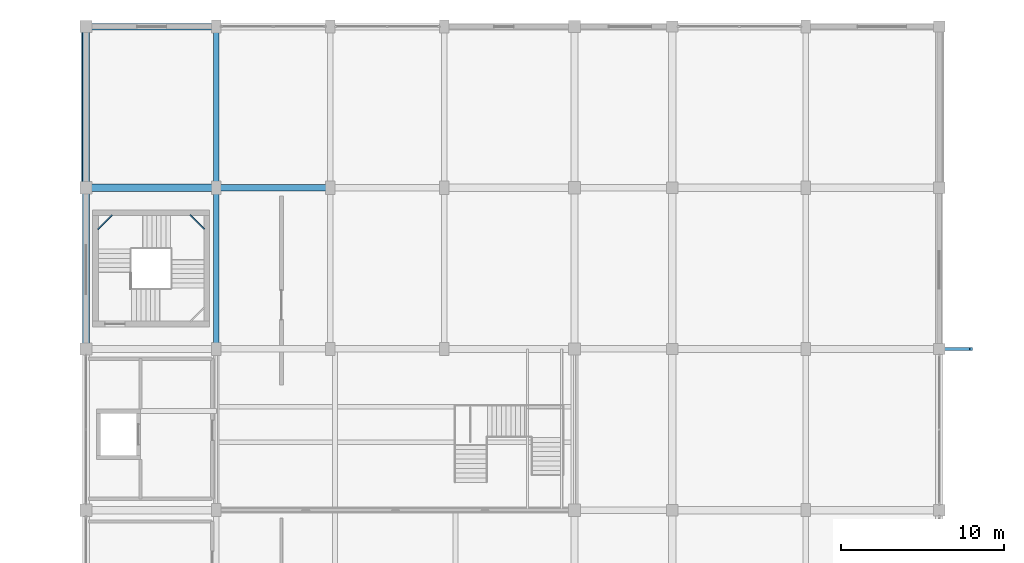
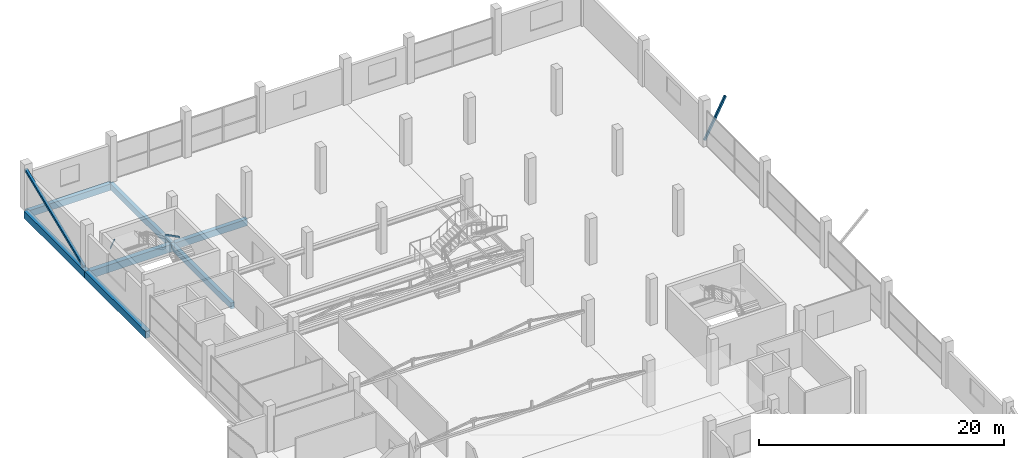
# One storey, part 25 of 49: 9 beams, 2 members.
"""IFC4 building model written with IfcOpenShell, lengths in metres."""

import ifcopenshell
import ifcopenshell.guid

model = None  # the IFC model being written
_history = None  # IfcOwnerHistory: only IFC2X3 demands one
_inside = {}  # id of a spatial element -> (the spatial element, [elements in it])
_under = {}  # id of a project, library or spatial element -> (it, [spatial elements below it])
_declared = {}  # id of a project -> (the project, [libraries it declares])
_typed = {}  # id of a type object -> (the type object, [elements of that type])
_made_of = {}  # id of a material, layer set ... -> (it, [elements and type objects made of it])


def new_model(schema):
    """Start an empty IFC model of exactly this schema.

    Asked for "IFC4X3", IfcOpenShell would pick the latest addendum, in which some entities
    have other attributes; the version numbers below select the first issue.
    IFC2X3 requires an IfcOwnerHistory on every rooted entity: one is made here for all.
    """
    global model, _history
    if schema == "IFC4X3":
        model = ifcopenshell.file(schema_version=(4, 3, 0, 0))
    else:
        model = ifcopenshell.file(schema=schema)
    _inside.clear()
    _under.clear()
    _declared.clear()
    _typed.clear()
    _made_of.clear()
    _history = None
    if model.schema == "IFC2X3":
        org = make("IfcOrganization", Name="unknown")
        user = make(
            "IfcPersonAndOrganization",
            ThePerson=make("IfcPerson", FamilyName="unknown"),
            TheOrganization=org,
        )
        app = make(
            "IfcApplication",
            ApplicationDeveloper=org,
            Version="unknown",
            ApplicationFullName="unknown",
            ApplicationIdentifier="unknown",
        )
        _history = make(
            "IfcOwnerHistory",
            OwningUser=user,
            OwningApplication=app,
            ChangeAction="ADDED",
            CreationDate=0,
        )
    return model


def make(cls, **values):
    """One entity of the class cls with the attributes given. An attribute that is None is left unset."""
    return model.create_entity(
        cls, **{name: value for name, value in values.items() if value is not None}
    )


def rooted(cls, **values):
    """An entity with a GlobalId (a new one), such as an element, a storey or a relation."""
    return make(cls, GlobalId=ifcopenshell.guid.new(), OwnerHistory=_history, **values)


def si_unit(unit_type, name, prefix=None):
    """IfcSIUnit, for example si_unit("LENGTHUNIT", "METRE", prefix="MILLI")."""
    return make("IfcSIUnit", UnitType=unit_type, Prefix=prefix, Name=name)


def assignment(units):
    """IfcUnitAssignment: the units of a project."""
    return None if units is None else make("IfcUnitAssignment", Units=units)


def point(xyz):
    """IfcCartesianPoint."""
    return None if xyz is None else make("IfcCartesianPoint", Coordinates=xyz)


def direction(xyz):
    """IfcDirection."""
    return None if xyz is None else make("IfcDirection", DirectionRatios=xyz)


def frame(location, z_axis=None, x_axis=None):
    """IfcAxis2Placement3D, a coordinate frame: its origin and axes. An axis left out is left unset."""
    return make(
        "IfcAxis2Placement3D",
        Location=point(location),
        Axis=direction(z_axis),
        RefDirection=direction(x_axis),
    )


def frame_2d(location, x_axis=None):
    """IfcAxis2Placement2D, a coordinate frame in the plane: its origin and x axis."""
    return make(
        "IfcAxis2Placement2D", Location=point(location), RefDirection=direction(x_axis)
    )


def origin():
    """The frame at (0, 0, 0) with its axes left unset."""
    return frame((0.0, 0.0, 0.0))


def origin_2d():
    """The frame at (0, 0) in the plane with its x axis left unset."""
    return frame_2d((0.0, 0.0))


def place(relative_to, where):
    """IfcLocalPlacement: puts the frame where relative to a parent placement (None: the world)."""
    return make(
        "IfcLocalPlacement", PlacementRelTo=relative_to, RelativePlacement=where
    )


def context(
    kind, dimensions, precision=None, world=None, true_north=None, identifier=None
):
    """IfcGeometricRepresentationContext, for example the 3D "Model" context."""
    return make(
        "IfcGeometricRepresentationContext",
        ContextIdentifier=identifier,
        ContextType=kind,
        CoordinateSpaceDimension=dimensions,
        Precision=precision,
        WorldCoordinateSystem=world,
        TrueNorth=true_north,
    )


def subcontext(parent, identifier, kind, view, scale=None):
    """IfcGeometricRepresentationSubContext, for example "Body" below "Model"."""
    return make(
        "IfcGeometricRepresentationSubContext",
        ContextIdentifier=identifier,
        ContextType=kind,
        ParentContext=parent,
        TargetScale=scale,
        TargetView=view,
    )


def project(units=None, contexts=None):
    """IfcProject with its units and contexts."""
    return rooted(
        "IfcProject",
        Name="project",
        RepresentationContexts=contexts,
        UnitsInContext=assignment(units),
    )


def spatial(cls, under=None, at=None, **own):
    """A site, building, storey or space (cls), placed at a placement, below another one or the project."""
    s = rooted(cls, ObjectPlacement=at, **own)
    if under is not None:
        _under.setdefault(under.id(), (under, []))[1].append(s)
    return s


def profile(cls, at=None, kind="AREA", **sizes):
    """A parametric profile (cls). Its sizes go by their IFC names, for example OverallWidth=200.0."""
    return make(cls, ProfileType=kind, Position=at, **sizes)


def rectangle(**sizes):
    """IfcRectangleProfileDef."""
    return profile("IfcRectangleProfileDef", **sizes)


def hollow_rectangle(**sizes):
    """IfcRectangleHollowProfileDef."""
    return profile("IfcRectangleHollowProfileDef", **sizes)


def extrude(swept, where, along, depth):
    """IfcExtrudedAreaSolid: the profile swept, set in the frame where, extruded along a direction by depth."""
    return make(
        "IfcExtrudedAreaSolid",
        SweptArea=swept,
        Position=where,
        ExtrudedDirection=direction(along),
        Depth=depth,
    )


def shape(context_of_items, identifier, shape_type, items):
    """IfcShapeRepresentation: the items that make up one representation, for example the "Body"."""
    return make(
        "IfcShapeRepresentation",
        ContextOfItems=context_of_items,
        RepresentationIdentifier=identifier,
        RepresentationType=shape_type,
        Items=items,
    )


def material(Name=None, Category=None):
    """IfcMaterial."""
    return make("IfcMaterial", Name=Name, Category=Category)


def material_profile(
    of_material, cross_section, Name=None, Category=None, Priority=None
):
    """IfcMaterialProfile: a cross section and its material."""
    return make(
        "IfcMaterialProfile",
        Name=Name,
        Material=of_material,
        Profile=cross_section,
        Priority=Priority,
        Category=Category,
    )


def profile_set(profiles, Name=None, composite=None):
    """IfcMaterialProfileSet."""
    return make(
        "IfcMaterialProfileSet",
        Name=Name,
        MaterialProfiles=profiles,
        CompositeProfile=composite,
    )


def made_of(thing, what):
    """Note that an element or type object is made of a material, layer set ...; save() writes the relation."""
    if what is not None:
        _made_of.setdefault(what.id(), (what, []))[1].append(thing)
    return thing


def type_object(cls, material=None, **own):
    """A type object (cls), such as IfcWallType, which elements share."""
    return made_of(rooted(cls, **own), material)


def element(
    cls,
    number,
    at=None,
    inside=None,
    cuts=None,
    type_object=None,
    material=None,
    context=None,
    identifier="Body",
    shape_type=None,
    held_by="IfcProductDefinitionShape",
    body=None,
    shapes=None,
    **own,
):
    """One element of the class cls, such as IfcWall. Its Tag is "e" and its number.

    at: its placement. inside: the storey or other place that contains it. cuts: it is an
    opening in that element (IfcRelVoidsElement). A single representation is given by context,
    identifier, shape_type and body (its items); several are given by shapes. held_by: the class
    of the entity that holds the representations. save() writes the other relations.
    """
    e = rooted(cls, Tag="e%d" % number, ObjectPlacement=at, **own)
    if body is not None:
        shapes = [shape(context, identifier, shape_type, body)]
    if shapes is not None:
        e.Representation = make(held_by, Representations=shapes)
    if inside is not None:
        _inside.setdefault(inside.id(), (inside, []))[1].append(e)
    if cuts is not None:
        rooted(
            "IfcRelVoidsElement", RelatingBuildingElement=cuts, RelatedOpeningElement=e
        )
    if type_object is not None:
        _typed.setdefault(type_object.id(), (type_object, []))[1].append(e)
    return made_of(e, material)


def aggregate(whole, parts):
    """IfcRelAggregates: a whole, such as a stair, and the parts it consists of."""
    return rooted("IfcRelAggregates", RelatingObject=whole, RelatedObjects=parts)


def save(model, path):
    """Write the relations noted so far, then the file.

    IfcRelAggregates (storeys below a building ...), IfcRelContainedInSpatialStructure (elements
    in a storey), IfcRelDefinesByType, IfcRelAssociatesMaterial and IfcRelDeclares: one each for
    every whole, place, type object, material and project.
    """
    for whole, parts in _under.values():
        aggregate(whole, parts)
    for where, things in _inside.values():
        rooted(
            "IfcRelContainedInSpatialStructure",
            RelatedElements=things,
            RelatingStructure=where,
        )
    for kind, things in _typed.values():
        rooted("IfcRelDefinesByType", RelatedObjects=things, RelatingType=kind)
    for what, things in _made_of.values():
        rooted("IfcRelAssociatesMaterial", RelatedObjects=things, RelatingMaterial=what)
    for by, libraries in _declared.values():
        rooted("IfcRelDeclares", RelatingContext=by, RelatedDefinitions=libraries)
    model.write(path)


model = new_model("IFC4")

# Units and contexts
model_context = context("Model", 3, precision=1e-05, world=origin(), true_north=direction((0.0, 1.0)))
body_context = subcontext(model_context, "Body", "Model", "MODEL_VIEW")
ifc_project = project(units=[si_unit("LENGTHUNIT", "METRE"), si_unit("AREAUNIT", "SQUARE_METRE"), si_unit("VOLUMEUNIT", "CUBIC_METRE"), si_unit("PLANEANGLEUNIT", "RADIAN"), si_unit("MASSUNIT", "GRAM", prefix="KILO")], contexts=[model_context])

# Site, building, storey
site_placement = place(None, origin())
site = spatial("IfcSite", under=ifc_project, at=site_placement, CompositionType="ELEMENT")
building_placement = place(site_placement, origin())
building = spatial("IfcBuilding", under=site, at=building_placement, Name="Sillaruma Civic Art Gallery", CompositionType="ELEMENT")
storey_placement = place(building_placement, frame((0.0, 0.0, 33.14990234375)))
storey = spatial("IfcBuildingStorey", under=building, at=storey_placement, Name="L06", CompositionType="ELEMENT", Elevation=33.14990234375)

# Beams
ifc_material_1 = material(Name="Concrete H35 (35 MPa)", Category="concrete")
ifc_material_profile_1 = material_profile(ifc_material_1, rectangle(XDim=0.35009765625, YDim=0.60009765625, at=origin_2d()), Name="RCB350x600")
ifc_profile_set_1 = profile_set([ifc_material_profile_1], Name="Concrete H35 (35 MPa)")
beam_type_1 = type_object("IfcBeamType", Name="BM-BEAM-RCB350x600", PredefinedType="BEAM", material=ifc_profile_set_1)
beam_1_placement = place(storey_placement, frame((70.0, 79.199951171875, -0.539794921875), z_axis=(0.0, 1.0, 0.0), x_axis=(-1.0, 0.0, 0.0)))
element("IfcBeam", 1, at=beam_1_placement, inside=storey, type_object=beam_type_1, Name="Beam BM-06 (L05:G:9-10)", PredefinedType="BEAM", context=body_context, shape_type="SweptSolid", body=[
    extrude(rectangle(XDim=0.35009765625, YDim=0.60009765625, at=origin_2d()), origin(), (0.0, 0.0, 1.0), 9.900146484375),
])
beam_2_placement = place(storey_placement, frame((70.0, 89.10009765625, -0.539794921875), z_axis=(0.0, 1.0, 0.0), x_axis=(-1.0, 0.0, 0.0)))
element("IfcBeam", 2, at=beam_2_placement, inside=storey, type_object=beam_type_1, Name="Beam BM-06 (L05:G:10-11)", PredefinedType="BEAM", context=body_context, shape_type="SweptSolid", body=[
    extrude(rectangle(XDim=0.35009765625, YDim=0.60009765625, at=origin_2d()), origin(), (0.0, 0.0, 1.0), 9.89990234375),
])
ifc_material_profile_2 = material_profile(ifc_material_1, rectangle(XDim=0.39990234375, YDim=0.64990234375, at=origin_2d()), Name="RCB400x650")
ifc_profile_set_2 = profile_set([ifc_material_profile_2], Name="Concrete H35 (35 MPa)")
beam_type_2 = type_object("IfcBeamType", Name="BM-BEAM-RCB400x650", PredefinedType="BEAM", material=ifc_profile_set_2)
beam_3_placement = place(storey_placement, frame((70.0, 89.10009765625, -0.56494140625), z_axis=(1.0, 0.0, 0.0), x_axis=(0.0, 1.0, 0.0)))
element("IfcBeam", 3, at=beam_3_placement, inside=storey, type_object=beam_type_2, Name="Beam BM-05 (L05:10:G-H)", PredefinedType="BEAM", context=body_context, shape_type="SweptSolid", body=[
    extrude(rectangle(XDim=0.39990234375, YDim=0.64990234375, at=origin_2d()), origin(), (0.0, 0.0, 1.0), 7.0),
])
ifc_material_2 = material(Name="Concrete H40 (40 MPa)", Category="concrete")
ifc_material_profile_3 = material_profile(ifc_material_2, rectangle(XDim=0.449951171875, YDim=0.75, at=origin_2d()), Name="RCB450x750")
ifc_profile_set_3 = profile_set([ifc_material_profile_3], Name="Concrete H40 (40 MPa)")
beam_type_3 = type_object("IfcBeamType", Name="BM-BEAM-RCB450x750", PredefinedType="BEAM", material=ifc_profile_set_3)
beam_4_placement = place(storey_placement, frame((62.0, 89.10009765625, -0.614990234375), z_axis=(1.0, 0.0, 0.0), x_axis=(0.0, 1.0, 0.0)))
element("IfcBeam", 4, at=beam_4_placement, inside=storey, type_object=beam_type_3, Name="Beam BM-03 (L05:10:F-G)", PredefinedType="BEAM", context=body_context, shape_type="SweptSolid", body=[
    extrude(rectangle(XDim=0.449951171875, YDim=0.75, at=origin_2d()), origin(), (0.0, 0.0, 1.0), 8.0),
])
ifc_material_3 = material(Name="Structural Steel ASTM A500 Gr.C", Category="steel")
ifc_material_profile_4 = material_profile(ifc_material_3, hollow_rectangle(XDim=0.080078125, YDim=0.159912109375, WallThickness=0.008056640625, InnerFilletRadius=0.008056640625, OuterFilletRadius=0.01611328125, at=origin_2d()), Name="HSS160x80x8")
ifc_profile_set_4 = profile_set([ifc_material_profile_4], Name="Structural Steel ASTM A500 Gr.C")
beam_type_4 = type_object("IfcBeamType", Name="BM-LND-HSS160", PredefinedType="BEAM", material=ifc_profile_set_4)
for number, where, z_axis, x_axis, name in (
    (5, (68.389892578125, 87.429931640625, 2.10009765625), (0.707203758046, -0.707009791025, 0.0), (0.707009791025, 0.707203758046, 0.0), "Stair Corner Landing Trimmer Beam (ST-02-L06-2)"),
    (6, (62.719970703125, 86.5400390625, 3.2900390625), (0.707203758046, 0.707009791025, 0.0), (-0.707009791025, 0.707203758046, 0.0), "Stair Corner Landing Trimmer Beam (ST-02-L06-3)"),
):
    element("IfcBeam", number, at=place(storey_placement, frame(where, z_axis=z_axis, x_axis=x_axis)), inside=storey, type_object=beam_type_4, Name=name, PredefinedType="BEAM", context=body_context, shape_type="SweptSolid", body=[
        extrude(hollow_rectangle(XDim=0.080078125, YDim=0.159912109375, WallThickness=0.008056640625, InnerFilletRadius=0.008056640625, OuterFilletRadius=0.01611328125, at=origin_2d()), origin(), (0.0, 0.0, 1.0), 1.2587890625),
    ])
ifc_material_profile_5 = material_profile(ifc_material_1, rectangle(XDim=0.39990234375, YDim=0.64990234375, at=origin_2d()), Name="RCB400x650")
ifc_profile_set_5 = profile_set([ifc_material_profile_5], Name="Concrete H35 (35 MPa)")
beam_type_5 = type_object("IfcBeamType", Name="BM-SPANDREL-RCB400x650", PredefinedType="SPANDREL", material=ifc_profile_set_5)
beam_5_placement = place(storey_placement, frame((62.0, 99.0, -0.56494140625), z_axis=(1.0, 0.0, 0.0), x_axis=(0.0, 1.0, 0.0)))
element("IfcBeam", 7, at=beam_5_placement, inside=storey, type_object=beam_type_5, Name="Beam BS-02 (L05:11:F-G)", PredefinedType="SPANDREL", context=body_context, shape_type="SweptSolid", body=[
    extrude(rectangle(XDim=0.39990234375, YDim=0.64990234375, at=origin_2d()), origin(), (0.0, 0.0, 1.0), 8.0),
])
ifc_material_profile_6 = material_profile(ifc_material_1, rectangle(XDim=0.449951171875, YDim=0.699951171875, at=origin_2d()), Name="RCB450x700")
ifc_profile_set_6 = profile_set([ifc_material_profile_6], Name="Concrete H35 (35 MPa)")
beam_type_6 = type_object("IfcBeamType", Name="BM-SPANDREL-RCB450x700", PredefinedType="SPANDREL", material=ifc_profile_set_6)
beam_6_placement = place(storey_placement, frame((62.0, 79.199951171875, -0.58984375), z_axis=(0.0, 1.0, 0.0), x_axis=(-1.0, 0.0, 0.0)))
element("IfcBeam", 8, at=beam_6_placement, inside=storey, type_object=beam_type_6, Name="Beam BS-03 (L05:F:9-10)", PredefinedType="SPANDREL", context=body_context, shape_type="SweptSolid", body=[
    extrude(rectangle(XDim=0.449951171875, YDim=0.699951171875, at=origin_2d()), origin(), (0.0, 0.0, 1.0), 9.900146484375),
])
beam_7_placement = place(storey_placement, frame((62.0, 89.10009765625, -0.58984375), z_axis=(0.0, 1.0, 0.0), x_axis=(-1.0, 0.0, 0.0)))
element("IfcBeam", 9, at=beam_7_placement, inside=storey, type_object=beam_type_6, Name="Beam BS-03 (L05:F:10-11)", PredefinedType="SPANDREL", context=body_context, shape_type="SweptSolid", body=[
    extrude(rectangle(XDim=0.449951171875, YDim=0.699951171875, at=origin_2d()), origin(), (0.0, 0.0, 1.0), 9.89990234375),
])

# Members
ifc_material_profile_7 = material_profile(ifc_material_3, hollow_rectangle(XDim=0.25, YDim=0.25, WallThickness=0.012451171875, InnerFilletRadius=0.012451171875, OuterFilletRadius=0.02490234375, at=origin_2d()), Name="HSS250x250x12.5")
ifc_profile_set_7 = profile_set([ifc_material_profile_7], Name="Structural Steel ASTM A500 Gr.C")
member_type_1 = type_object("IfcMemberType", Name="MEM-MEGA-BRACE", PredefinedType="BRACE", material=ifc_profile_set_7)
member_1_placement = place(storey_placement, frame((61.85009765625, 89.280029296875, 0.10009765625), z_axis=(0.0, 0.925643523987, 0.378396705194), x_axis=(-1.0, 0.0, 0.0)))
element("IfcMember", 10, at=member_1_placement, inside=storey, type_object=member_type_1, Name="Exterior Expressed Gallery Seismic Diagonal Brace (L06-WN)", PredefinedType="BRACE", context=body_context, shape_type="SweptSolid", body=[
    extrude(hollow_rectangle(XDim=0.25, YDim=0.25, WallThickness=0.012451171875, InnerFilletRadius=0.012451171875, OuterFilletRadius=0.02490234375, at=origin_2d()), origin(), (0.0, 0.0, 1.0), 10.306396484375),
])
ifc_material_profile_8 = material_profile(ifc_material_3, hollow_rectangle(XDim=0.199951171875, YDim=0.199951171875, WallThickness=0.010009765625, InnerFilletRadius=0.010009765625, OuterFilletRadius=0.02001953125, at=origin_2d()), Name="HSS200x200x10")
ifc_profile_set_8 = profile_set([ifc_material_profile_8], Name="Structural Steel ASTM A500 Gr.C")
member_type_2 = type_object("IfcMemberType", Name="MEM-PROW-BRACE", PredefinedType="BRACE", material=ifc_profile_set_8)
member_2_placement = place(storey_placement, frame((114.39990234375, 79.199951171875, 0.400146484375), z_axis=(0.462906613261, 0.0, 0.886407055138), x_axis=(0.0, 1.0, 0.0)))
element("IfcMember", 11, at=member_2_placement, inside=storey, type_object=member_type_2, Name="Deconstructivist Prow Diagonal Brace (PRW-L07-E-FLR-N)", PredefinedType="BRACE", context=body_context, shape_type="SweptSolid", body=[
    extrude(hollow_rectangle(XDim=0.199951171875, YDim=0.199951171875, WallThickness=0.010009765625, InnerFilletRadius=0.010009765625, OuterFilletRadius=0.02001953125, at=origin_2d()), origin(), (0.0, 0.0, 1.0), 4.212890625),
])

save(model, "model.ifc")
